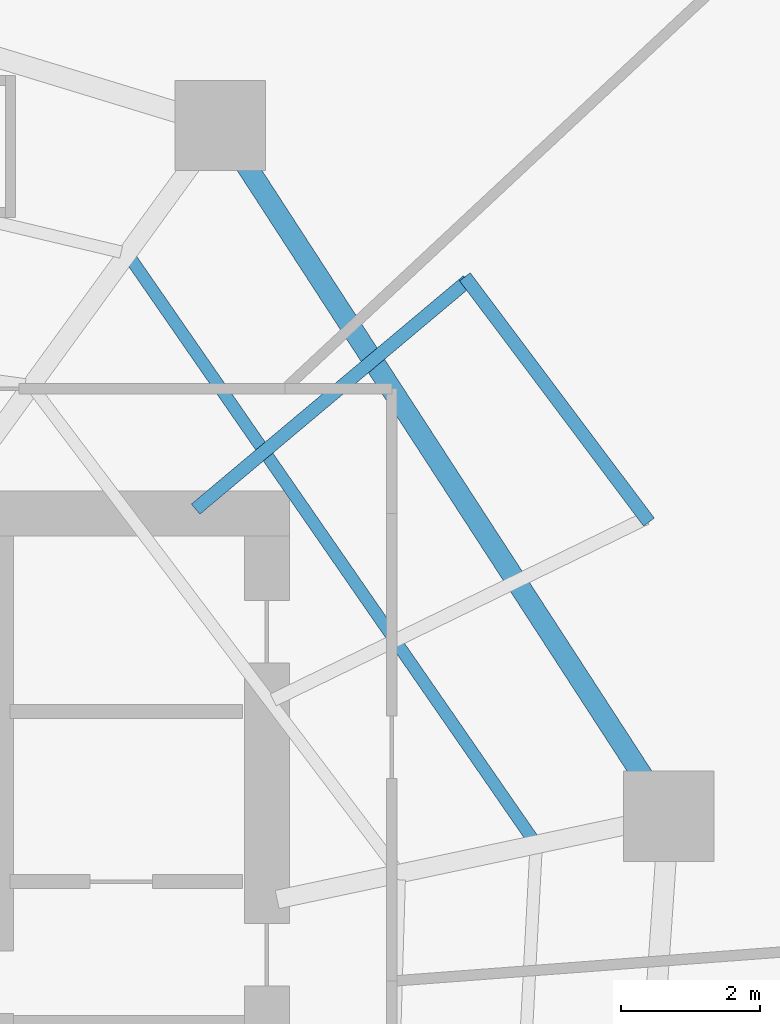
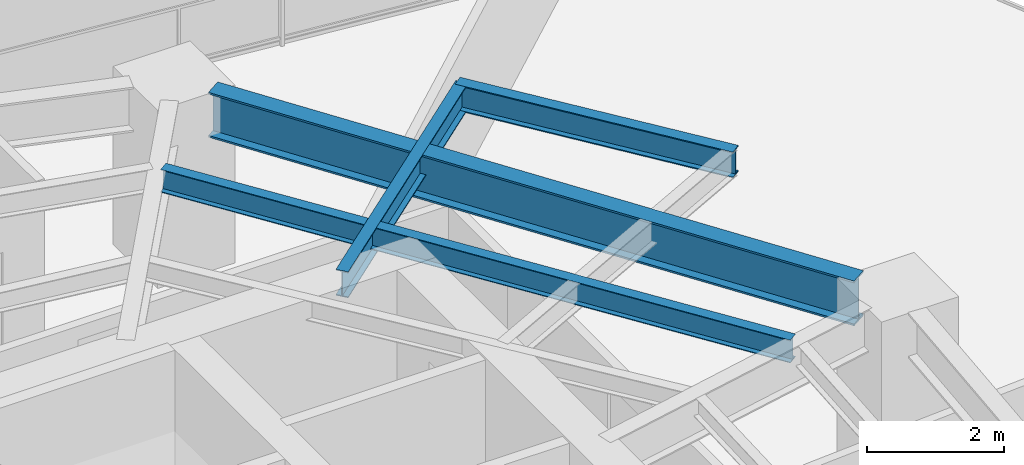
# One storey, part 21 of 28: 4 beams.
"""IFC4 building model written with IfcOpenShell, lengths in metres."""

from ifc_helpers import new_model, si_unit, direction, frame, origin, origin_2d, place, context, subcontext, project, spatial, i_section, extrude, material, material_profile, profile_set, type_object, element, save


model = new_model("IFC4")

# Units and contexts
model_context = context("Model", 3, precision=1e-05, world=origin(), true_north=direction((0.0, 1.0)))
body_context = subcontext(model_context, "Body", "Model", "MODEL_VIEW")
ifc_project = project(units=[si_unit("LENGTHUNIT", "METRE"), si_unit("AREAUNIT", "SQUARE_METRE"), si_unit("VOLUMEUNIT", "CUBIC_METRE"), si_unit("PLANEANGLEUNIT", "RADIAN"), si_unit("MASSUNIT", "GRAM", prefix="KILO")], contexts=[model_context])

# Site, building, storey
site_placement = place(None, origin())
site = spatial("IfcSite", under=ifc_project, at=site_placement, CompositionType="ELEMENT")
building_placement = place(site_placement, origin())
building = spatial("IfcBuilding", under=site, at=building_placement, Name="Qarnah Convention Tower", CompositionType="ELEMENT")
storey_placement = place(building_placement, frame((0.0, 0.0, 44.25)))
storey = spatial("IfcBuildingStorey", under=building, at=storey_placement, Name="L10", CompositionType="ELEMENT", Elevation=44.25)

# Beams
ifc_material = material(Name="Structural steel S355JR", Category="steel")
ifc_material_profile_1 = material_profile(ifc_material, i_section(OverallWidth=0.19189453125, OverallDepth=0.464111328125, WebThickness=0.010986328125, FlangeThickness=0.01806640625, at=origin_2d()), Name="W460X89")
ifc_profile_set_1 = profile_set([ifc_material_profile_1], Name="Structural steel S355JR")
beam_type_1 = type_object("IfcBeamType", Name="BM-CANT-W460A", PredefinedType="BEAM", material=ifc_profile_set_1)
beam_1_placement = place(storey_placement, frame((46.572021484375, 34.263916015625, 2.93798828125), z_axis=(0.765964185984, 0.64288324429, 0.0), x_axis=(-0.64288324429, 0.765964185984, 0.0)))
element("IfcBeam", 1, at=beam_1_placement, inside=storey, type_object=beam_type_1, Name="L10 beam BM-L10-CNT-01-2", PredefinedType="BEAM", context=body_context, shape_type="SweptSolid", body=[
    extrude(i_section(OverallWidth=0.19189453125, OverallDepth=0.464111328125, WebThickness=0.010986328125, FlangeThickness=0.01806640625, at=origin_2d()), origin(), (0.0, 0.0, 1.0), 5.11767578125),
])
beam_2_placement = place(storey_placement, frame((53.10107421875, 34.077880859375, 2.93798828125), z_axis=(-0.600282994859, 0.799787675626, 0.0), x_axis=(-0.799787675626, -0.600282994859, 0.0)))
element("IfcBeam", 2, at=beam_2_placement, inside=storey, type_object=beam_type_1, Name="L10 spandrel BM-L10-CTIE-01", PredefinedType="SPANDREL", context=body_context, shape_type="SweptSolid", body=[
    extrude(i_section(OverallWidth=0.19189453125, OverallDepth=0.464111328125, WebThickness=0.010986328125, FlangeThickness=0.01806640625, at=origin_2d()), origin(), (0.0, 0.0, 1.0), 4.41650390625),
])
ifc_material_profile_2 = material_profile(ifc_material, i_section(OverallWidth=0.177978515625, OverallDepth=0.407958984375, WebThickness=0.008056640625, FlangeThickness=0.012939453125, at=origin_2d()), Name="W410X60")
ifc_profile_set_2 = profile_set([ifc_material_profile_2], Name="Structural steel S355JR")
beam_type_2 = type_object("IfcBeamType", Name="BM-JST-W410", PredefinedType="JOIST", material=ifc_profile_set_2)
beam_3_placement = place(storey_placement, frame((51.427001953125, 29.509033203125, 2.966064453125), z_axis=(-0.569141318833, 0.822239721248, 0.0), x_axis=(-0.822239721248, -0.569141318833, 0.0)))
element("IfcBeam", 3, at=beam_3_placement, inside=storey, type_object=beam_type_2, Name="L10 joist BM-L10-SJST-01", PredefinedType="JOIST", context=body_context, shape_type="SweptSolid", body=[
    extrude(i_section(OverallWidth=0.177978515625, OverallDepth=0.407958984375, WebThickness=0.008056640625, FlangeThickness=0.012939453125, at=origin_2d()), origin(), (0.0, 0.0, 1.0), 10.169921875),
])
ifc_material_profile_3 = material_profile(ifc_material, i_section(OverallWidth=0.300048828125, OverallDepth=0.800048828125, WebThickness=0.01806640625, FlangeThickness=0.032958984375, at=origin_2d()), Name="HEB800")
ifc_profile_set_3 = profile_set([ifc_material_profile_3], Name="Structural steel S355JR")
beam_type_3 = type_object("IfcBeamType", Name="BM-RING-HEB800", PredefinedType="BEAM", material=ifc_profile_set_3)
beam_4_placement = place(storey_placement, frame((53.0390625, 30.3779296875, 2.77001953125), z_axis=(-0.544579515688, 0.838709217246, 0.0), x_axis=(-0.838709217246, -0.544579515688, 0.0)))
element("IfcBeam", 4, at=beam_4_placement, inside=storey, type_object=beam_type_3, Name="L10 beam BM-L10-SPN-01", PredefinedType="BEAM", context=body_context, shape_type="SweptSolid", body=[
    extrude(i_section(OverallWidth=0.300048828125, OverallDepth=0.800048828125, WebThickness=0.01806640625, FlangeThickness=0.032958984375, at=origin_2d()), origin(), (0.0, 0.0, 1.0), 10.58056640625),
])

save(model, "model.ifc")
